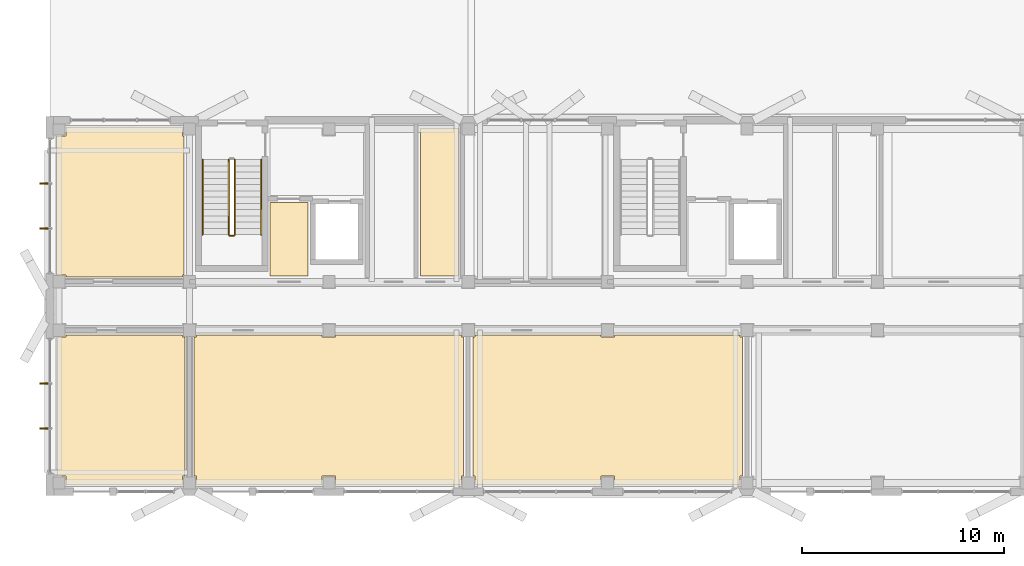
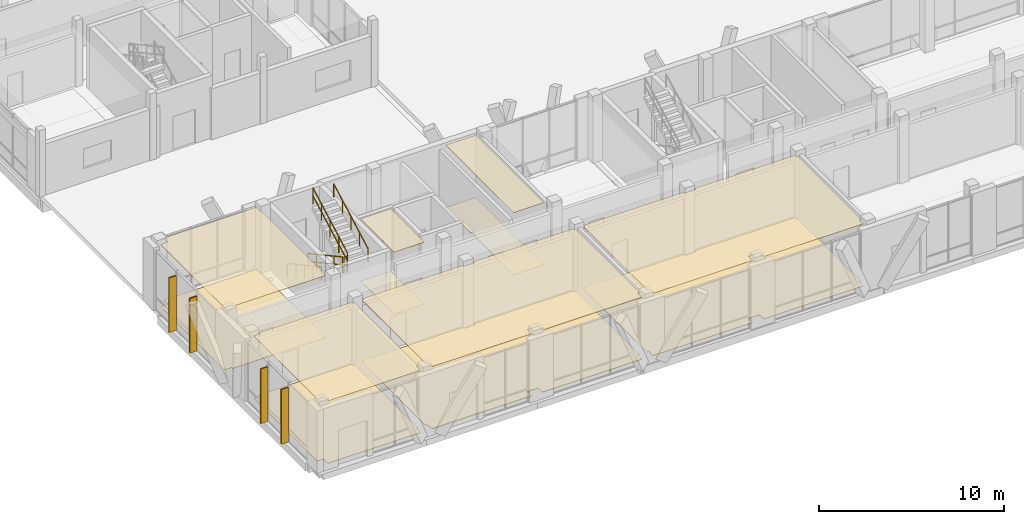
# One storey, part 208 of 233: 12 coverings, 5 railings, 4 shading devices.
"""IFC4 building model written with IfcOpenShell, lengths in metres."""

from ifc_helpers import new_model, si_unit, direction, frame, origin, origin_2d, place, context, subcontext, project, spatial, polyline, rectangle, outline, extrude, material, layer, layer_set, type_object, element, save


model = new_model("IFC4")

# Units and contexts
model_context = context("Model", 3, precision=1e-05, world=origin(), true_north=direction((0.0, 1.0)))
body_context = subcontext(model_context, "Body", "Model", "MODEL_VIEW")
ifc_project = project(units=[si_unit("LENGTHUNIT", "METRE"), si_unit("AREAUNIT", "SQUARE_METRE"), si_unit("VOLUMEUNIT", "CUBIC_METRE"), si_unit("PLANEANGLEUNIT", "RADIAN"), si_unit("MASSUNIT", "GRAM", prefix="KILO")], contexts=[model_context])

# Site, building, storey
site_placement = place(None, origin())
site = spatial("IfcSite", under=ifc_project, at=site_placement, CompositionType="ELEMENT")
building_placement = place(site_placement, origin())
building = spatial("IfcBuilding", under=site, at=building_placement, Name="Zavelmont Quarter", CompositionType="ELEMENT")
storey_placement = place(building_placement, origin())
storey = spatial("IfcBuildingStorey", under=building, at=storey_placement, Name="L00", CompositionType="ELEMENT", Elevation=0.0)

# Coverings
ifc_material_1 = material(Name="Perforated acoustic gypsum board")
ifc_layer_1 = layer(ifc_material_1, 0.02490234375)
ifc_layer_set_1 = layer_set([ifc_layer_1], Name="Perforated acoustic gypsum board")
covering_type_1 = type_object("IfcCoveringType", Name="CV-CL01", PredefinedType="CEILING", material=ifc_layer_set_1)
covering_1_placement = place(storey_placement, frame((0.0, 0.0, 4.094970703125)))
element("IfcCovering", 1, at=covering_1_placement, inside=storey, type_object=covering_type_1, Name="L00 Lobby Vestibule acoustic ceiling", PredefinedType="CEILING", context=body_context, shape_type="SweptSolid", body=[
    extrude(outline(polyline([(10.8798828125, 14.320068359375), (12.77001953125, 14.320068359375), (12.77001953125, 10.679931640625), (10.8798828125, 10.679931640625), (10.8798828125, 14.320068359375)])), origin(), (0.0, 0.0, 1.0), 0.025146484375),
])
covering_2_placement = place(storey_placement, frame((0.0, 0.0, 4.094970703125)))
element("IfcCovering", 2, at=covering_2_placement, inside=storey, type_object=covering_type_1, Name="L00 Refuse Chute Room acoustic ceiling", PredefinedType="CEILING", context=body_context, shape_type="SweptSolid", body=[
    extrude(outline(polyline([(18.330078125, 18.02001953125), (20.219970703125, 18.02001953125), (20.219970703125, 10.679931640625), (18.330078125, 10.679931640625), (18.330078125, 18.02001953125)])), origin(), (0.0, 0.0, 1.0), 0.025146484375),
])
covering_3_placement = place(storey_placement, frame((0.0, 0.0, 4.094970703125)))
element("IfcCovering", 3, at=covering_3_placement, inside=storey, type_object=covering_type_1, Name="L00 Fire Control Room acoustic ceiling", PredefinedType="CEILING", context=body_context, shape_type="SweptSolid", body=[
    extrude(outline(polyline([(0.3798828125, 7.659912109375), (0.780029296875, 7.659912109375), (0.780029296875, 7.77001953125), (6.56005859375, 7.77001953125), (6.56005859375, 7.659912109375), (6.669921875, 7.659912109375), (6.669921875, 0.780029296875), (6.56005859375, 0.780029296875), (6.56005859375, 0.330078125), (0.780029296875, 0.330078125), (0.780029296875, 0.780029296875), (0.3798828125, 0.780029296875), (0.3798828125, 7.659912109375)])), origin(), (0.0, 0.0, 1.0), 0.025146484375),
])
covering_4_placement = place(storey_placement, frame((0.0, 0.0, 4.094970703125)))
element("IfcCovering", 4, at=covering_4_placement, inside=storey, type_object=covering_type_1, Name="L00 Residents Mail and Concierge acoustic ceiling", PredefinedType="CEILING", context=body_context, shape_type="SweptSolid", body=[
    extrude(outline(polyline([(20.929931640625, 7.659912109375), (21.0400390625, 7.659912109375), (21.0400390625, 7.77001953125), (27.260009765625, 7.77001953125), (27.260009765625, 7.659912109375), (27.93994140625, 7.659912109375), (27.93994140625, 7.77001953125), (34.159912109375, 7.77001953125), (34.159912109375, 7.659912109375), (34.27001953125, 7.659912109375), (34.27001953125, 0.780029296875), (34.159912109375, 0.780029296875), (34.159912109375, 0.330078125), (27.93994140625, 0.330078125), (27.93994140625, 0.780029296875), (27.260009765625, 0.780029296875), (27.260009765625, 0.330078125), (21.0400390625, 0.330078125), (21.0400390625, 0.780029296875), (20.929931640625, 0.780029296875), (20.929931640625, 7.659912109375)])), origin(), (0.0, 0.0, 1.0), 0.025146484375),
])
covering_5_placement = place(storey_placement, frame((0.0, 0.0, 4.094970703125)))
element("IfcCovering", 5, at=covering_5_placement, inside=storey, type_object=covering_type_1, Name="L00 Meter and Telecom Room acoustic ceiling", PredefinedType="CEILING", context=body_context, shape_type="SweptSolid", body=[
    extrude(outline(polyline([(0.330078125, 17.6201171875), (0.780029296875, 17.6201171875), (0.780029296875, 18.070068359375), (6.56005859375, 18.070068359375), (6.56005859375, 17.6201171875), (6.6201171875, 17.6201171875), (6.6201171875, 10.739990234375), (6.56005859375, 10.739990234375), (6.56005859375, 10.6298828125), (0.780029296875, 10.6298828125), (0.780029296875, 10.739990234375), (0.330078125, 10.739990234375), (0.330078125, 17.6201171875)])), origin(), (0.0, 0.0, 1.0), 0.025146484375),
])
ifc_material_2 = material(Name="Slatted European ash acoustic baffle ceiling")
ifc_layer_2 = layer(ifc_material_2, 0.0400390625)
ifc_layer_set_2 = layer_set([ifc_layer_2], Name="Slatted European ash acoustic baffle ceiling")
covering_type_2 = type_object("IfcCoveringType", Name="CV-CL02", PredefinedType="CEILING", material=ifc_layer_set_2)
covering_6_placement = place(storey_placement, frame((0.0, 0.0, 4.080078125)))
element("IfcCovering", 6, at=covering_6_placement, inside=storey, type_object=covering_type_2, Name="L00 Block Entrance Foyer acoustic ceiling", PredefinedType="CEILING", context=body_context, shape_type="SweptSolid", body=[
    extrude(outline(polyline([(7.1298828125, 7.659912109375), (7.239990234375, 7.659912109375), (7.239990234375, 7.77001953125), (13.4599609375, 7.77001953125), (13.4599609375, 7.659912109375), (14.139892578125, 7.659912109375), (14.139892578125, 7.77001953125), (20.360107421875, 7.77001953125), (20.360107421875, 7.659912109375), (20.469970703125, 7.659912109375), (20.469970703125, 0.780029296875), (20.360107421875, 0.780029296875), (20.360107421875, 0.330078125), (14.139892578125, 0.330078125), (14.139892578125, 0.780029296875), (13.4599609375, 0.780029296875), (13.4599609375, 0.330078125), (7.239990234375, 0.330078125), (7.239990234375, 0.780029296875), (7.1298828125, 0.780029296875), (7.1298828125, 7.659912109375)])), origin(), (0.0, 0.0, 1.0), 0.0400390625),
])
ifc_material_3 = material(Name="Engineered European oak parquet")
ifc_layer_3 = layer(ifc_material_3, 0.02197265625)
ifc_layer_set_3 = layer_set([ifc_layer_3], Name="Engineered European oak parquet")
covering_type_3 = type_object("IfcCoveringType", Name="CV-FL01", PredefinedType="FLOORING", material=ifc_layer_set_3)
covering_7_placement = place(storey_placement, origin())
element("IfcCovering", 7, at=covering_7_placement, inside=storey, type_object=covering_type_3, Name="L00 Lobby Vestibule floor finish", PredefinedType="FLOORING", context=body_context, shape_type="SweptSolid", body=[
    extrude(outline(polyline([(10.8798828125, 14.320068359375), (12.77001953125, 14.320068359375), (12.77001953125, 10.679931640625), (10.8798828125, 10.679931640625), (10.8798828125, 14.320068359375)])), origin(), (0.0, 0.0, 1.0), 0.02197265625),
])
covering_8_placement = place(storey_placement, origin())
element("IfcCovering", 8, at=covering_8_placement, inside=storey, type_object=covering_type_3, Name="L00 Refuse Chute Room floor finish", PredefinedType="FLOORING", context=body_context, shape_type="SweptSolid", body=[
    extrude(outline(polyline([(18.330078125, 18.02001953125), (20.219970703125, 18.02001953125), (20.219970703125, 10.679931640625), (18.330078125, 10.679931640625), (18.330078125, 18.02001953125)])), origin(), (0.0, 0.0, 1.0), 0.02197265625),
])
covering_9_placement = place(storey_placement, origin())
element("IfcCovering", 9, at=covering_9_placement, inside=storey, type_object=covering_type_3, Name="L00 Fire Control Room floor finish", PredefinedType="FLOORING", context=body_context, shape_type="SweptSolid", body=[
    extrude(outline(polyline([(0.3798828125, 7.659912109375), (0.780029296875, 7.659912109375), (0.780029296875, 7.77001953125), (6.56005859375, 7.77001953125), (6.56005859375, 7.659912109375), (6.669921875, 7.659912109375), (6.669921875, 0.780029296875), (6.56005859375, 0.780029296875), (6.56005859375, 0.330078125), (0.780029296875, 0.330078125), (0.780029296875, 0.780029296875), (0.3798828125, 0.780029296875), (0.3798828125, 7.659912109375)])), origin(), (0.0, 0.0, 1.0), 0.02197265625),
])
covering_10_placement = place(storey_placement, origin())
element("IfcCovering", 10, at=covering_10_placement, inside=storey, type_object=covering_type_3, Name="L00 Residents Mail and Concierge floor finish", PredefinedType="FLOORING", context=body_context, shape_type="SweptSolid", body=[
    extrude(outline(polyline([(20.929931640625, 7.659912109375), (21.0400390625, 7.659912109375), (21.0400390625, 7.77001953125), (27.260009765625, 7.77001953125), (27.260009765625, 7.659912109375), (27.93994140625, 7.659912109375), (27.93994140625, 7.77001953125), (34.159912109375, 7.77001953125), (34.159912109375, 7.659912109375), (34.27001953125, 7.659912109375), (34.27001953125, 0.780029296875), (34.159912109375, 0.780029296875), (34.159912109375, 0.330078125), (27.93994140625, 0.330078125), (27.93994140625, 0.780029296875), (27.260009765625, 0.780029296875), (27.260009765625, 0.330078125), (21.0400390625, 0.330078125), (21.0400390625, 0.780029296875), (20.929931640625, 0.780029296875), (20.929931640625, 7.659912109375)])), origin(), (0.0, 0.0, 1.0), 0.02197265625),
])
covering_11_placement = place(storey_placement, origin())
element("IfcCovering", 11, at=covering_11_placement, inside=storey, type_object=covering_type_3, Name="L00 Meter and Telecom Room floor finish", PredefinedType="FLOORING", context=body_context, shape_type="SweptSolid", body=[
    extrude(outline(polyline([(0.330078125, 17.6201171875), (0.780029296875, 17.6201171875), (0.780029296875, 18.070068359375), (6.56005859375, 18.070068359375), (6.56005859375, 17.6201171875), (6.6201171875, 17.6201171875), (6.6201171875, 10.739990234375), (6.56005859375, 10.739990234375), (6.56005859375, 10.6298828125), (0.780029296875, 10.6298828125), (0.780029296875, 10.739990234375), (0.330078125, 10.739990234375), (0.330078125, 17.6201171875)])), origin(), (0.0, 0.0, 1.0), 0.02197265625),
])
ifc_material_4 = material(Name="Honed Belgian bluestone tile", Category="masonry")
ifc_layer_4 = layer(ifc_material_4, 0.030029296875)
ifc_layer_set_4 = layer_set([ifc_layer_4], Name="Honed Belgian bluestone tile")
covering_type_4 = type_object("IfcCoveringType", Name="CV-FL02", PredefinedType="FLOORING", material=ifc_layer_set_4)
covering_12_placement = place(storey_placement, origin())
element("IfcCovering", 12, at=covering_12_placement, inside=storey, type_object=covering_type_4, Name="L00 Block Entrance Foyer floor finish", PredefinedType="FLOORING", context=body_context, shape_type="SweptSolid", body=[
    extrude(outline(polyline([(7.1298828125, 7.659912109375), (7.239990234375, 7.659912109375), (7.239990234375, 7.77001953125), (13.4599609375, 7.77001953125), (13.4599609375, 7.659912109375), (14.139892578125, 7.659912109375), (14.139892578125, 7.77001953125), (20.360107421875, 7.77001953125), (20.360107421875, 7.659912109375), (20.469970703125, 7.659912109375), (20.469970703125, 0.780029296875), (20.360107421875, 0.780029296875), (20.360107421875, 0.330078125), (14.139892578125, 0.330078125), (14.139892578125, 0.780029296875), (13.4599609375, 0.780029296875), (13.4599609375, 0.330078125), (7.239990234375, 0.330078125), (7.239990234375, 0.780029296875), (7.1298828125, 0.780029296875), (7.1298828125, 7.659912109375)])), origin(), (0.0, 0.0, 1.0), 0.030029296875),
])

# Railings
ifc_material_5 = material(Name="Powder-coated steel stair guardrail", Category="steel")
railing_type_1 = type_object("IfcRailingType", Name="RL-GRD1", PredefinedType="GUARDRAIL", material=ifc_material_5)
railing_1_placement = place(storey_placement, frame((8.85009765625, 16.449951171875, 0.169189453125)))
element("IfcRailing", 13, at=railing_1_placement, inside=storey, type_object=railing_type_1, Name="L00 ST01 stair guardrail 1", PredefinedType="GUARDRAIL", context=body_context, shape_type="SweptSolid", body=[
    extrude(rectangle(XDim=0.048095703125, YDim=0.048095703125, at=origin_2d()), frame((0.0, 0.0, 1.076171875), z_axis=(0.0, -0.877728207833, 0.479158839191), x_axis=(1.0, 0.0, 0.0)), (0.0, 0.0, 1.0), 4.23828125),
    extrude(rectangle(XDim=0.048095703125, YDim=0.048095703125, at=origin_2d()), frame((0.0, 0.0, 0.550048828125), z_axis=(0.0, -0.877728207833, 0.479158839191), x_axis=(1.0, 0.0, 0.0)), (0.0, 0.0, 1.0), 4.23828125),
    extrude(rectangle(XDim=0.0419921875, YDim=0.0419921875, at=origin_2d()), origin(), (0.0, 0.0, 1.0), 1.052001953125),
    extrude(rectangle(XDim=0.0419921875, YDim=0.0419921875, at=origin_2d()), frame((0.0, -0.929931640625, 0.5078125)), (0.0, 0.0, 1.0), 1.052001953125),
    extrude(rectangle(XDim=0.0419921875, YDim=0.0419921875, at=origin_2d()), frame((0.0, -1.85986328125, 1.015380859375)), (0.0, 0.0, 1.0), 1.052001953125),
    extrude(rectangle(XDim=0.0419921875, YDim=0.0419921875, at=origin_2d()), frame((0.0, -2.7900390625, 1.52294921875)), (0.0, 0.0, 1.0), 1.052001953125),
    extrude(rectangle(XDim=0.0419921875, YDim=0.0419921875, at=origin_2d()), frame((0.0, -3.719970703125, 2.03076171875)), (0.0, 0.0, 1.0), 1.052001953125),
])
railing_2_placement = place(storey_placement, frame((8.89990234375, 12.679931640625, 2.199951171875)))
element("IfcRailing", 14, at=railing_2_placement, inside=storey, type_object=railing_type_1, Name="L00 ST01 stair guardrail 2", PredefinedType="GUARDRAIL", context=body_context, shape_type="SweptSolid", body=[
    extrude(rectangle(XDim=0.048095703125, YDim=0.048095703125, at=origin_2d()), frame((0.0, 0.0, 1.076171875), z_axis=(1.0, 0.0, 0.0), x_axis=(0.0, 1.0, 0.0)), (0.0, 0.0, 1.0), 0.2001953125),
    extrude(rectangle(XDim=0.048095703125, YDim=0.048095703125, at=origin_2d()), frame((0.0, 0.0, 0.550048828125), z_axis=(1.0, 0.0, 0.0), x_axis=(0.0, 1.0, 0.0)), (0.0, 0.0, 1.0), 0.2001953125),
    extrude(rectangle(XDim=0.0419921875, YDim=0.0419921875, at=origin_2d()), origin(), (0.0, 0.0, 1.0), 1.052001953125),
    extrude(rectangle(XDim=0.0419921875, YDim=0.0419921875, at=origin_2d()), frame((0.2001953125, 0.0, 0.0)), (0.0, 0.0, 1.0), 1.052001953125),
])
railing_3_placement = place(storey_placement, frame((9.14990234375, 12.72998046875, 2.369140625)))
element("IfcRailing", 15, at=railing_3_placement, inside=storey, type_object=railing_type_1, Name="L00 ST01 stair guardrail 3", PredefinedType="GUARDRAIL", context=body_context, shape_type="SweptSolid", body=[
    extrude(rectangle(XDim=0.048095703125, YDim=0.048095703125, at=origin_2d()), frame((0.0, 0.0, 1.076171875), z_axis=(0.0, 0.877728207833, 0.479158839191), x_axis=(-1.0, 0.0, 0.0)), (0.0, 0.0, 1.0), 4.23828125),
    extrude(rectangle(XDim=0.048095703125, YDim=0.048095703125, at=origin_2d()), frame((0.0, 0.0, 0.550048828125), z_axis=(0.0, 0.877728207833, 0.479158839191), x_axis=(-1.0, 0.0, 0.0)), (0.0, 0.0, 1.0), 4.23828125),
    extrude(rectangle(XDim=0.0419921875, YDim=0.0419921875, at=origin_2d()), origin(), (0.0, 0.0, 1.0), 1.052001953125),
    extrude(rectangle(XDim=0.0419921875, YDim=0.0419921875, at=origin_2d()), frame((0.0, 0.929931640625, 0.5078125)), (0.0, 0.0, 1.0), 1.052001953125),
    extrude(rectangle(XDim=0.0419921875, YDim=0.0419921875, at=origin_2d()), frame((0.0, 1.85986328125, 1.015380859375)), (0.0, 0.0, 1.0), 1.052001953125),
    extrude(rectangle(XDim=0.0419921875, YDim=0.0419921875, at=origin_2d()), frame((0.0, 2.7900390625, 1.52294921875)), (0.0, 0.0, 1.0), 1.052001953125),
    extrude(rectangle(XDim=0.0419921875, YDim=0.0419921875, at=origin_2d()), frame((0.0, 3.719970703125, 2.03076171875)), (0.0, 0.0, 1.0), 1.052001953125),
])
ifc_material_6 = material(Name="Brushed stainless-steel wall handrail", Category="steel")
railing_type_2 = type_object("IfcRailingType", Name="RL-HND1", PredefinedType="HANDRAIL", material=ifc_material_6)
railing_4_placement = place(storey_placement, frame((7.550048828125, 16.449951171875, 0.169189453125)))
element("IfcRailing", 16, at=railing_4_placement, inside=storey, type_object=railing_type_2, Name="L00 ST01 stair handrail 1", PredefinedType="HANDRAIL", context=body_context, shape_type="SweptSolid", body=[
    extrude(rectangle(XDim=0.048095703125, YDim=0.048095703125, at=origin_2d()), frame((0.0, 0.0, 0.8759765625), z_axis=(0.0, -0.877728207833, 0.479158839191), x_axis=(1.0, 0.0, 0.0)), (0.0, 0.0, 1.0), 4.23828125),
    extrude(rectangle(XDim=0.0419921875, YDim=0.0419921875, at=origin_2d()), origin(), (0.0, 0.0, 1.0), 0.851806640625),
    extrude(rectangle(XDim=0.0419921875, YDim=0.0419921875, at=origin_2d()), frame((0.0, -0.929931640625, 0.5078125)), (0.0, 0.0, 1.0), 0.851806640625),
    extrude(rectangle(XDim=0.0419921875, YDim=0.0419921875, at=origin_2d()), frame((0.0, -1.85986328125, 1.015380859375)), (0.0, 0.0, 1.0), 0.851806640625),
    extrude(rectangle(XDim=0.0419921875, YDim=0.0419921875, at=origin_2d()), frame((0.0, -2.7900390625, 1.52294921875)), (0.0, 0.0, 1.0), 0.851806640625),
    extrude(rectangle(XDim=0.0419921875, YDim=0.0419921875, at=origin_2d()), frame((0.0, -3.719970703125, 2.03076171875)), (0.0, 0.0, 1.0), 0.851806640625),
])
railing_5_placement = place(storey_placement, frame((10.449951171875, 12.72998046875, 2.369140625)))
element("IfcRailing", 17, at=railing_5_placement, inside=storey, type_object=railing_type_2, Name="L00 ST01 stair handrail 2", PredefinedType="HANDRAIL", context=body_context, shape_type="SweptSolid", body=[
    extrude(rectangle(XDim=0.048095703125, YDim=0.048095703125, at=origin_2d()), frame((0.0, 0.0, 0.8759765625), z_axis=(0.0, 0.877728207833, 0.479158839191), x_axis=(-1.0, 0.0, 0.0)), (0.0, 0.0, 1.0), 4.23828125),
    extrude(rectangle(XDim=0.0419921875, YDim=0.0419921875, at=origin_2d()), origin(), (0.0, 0.0, 1.0), 0.851806640625),
    extrude(rectangle(XDim=0.0419921875, YDim=0.0419921875, at=origin_2d()), frame((0.0, 0.929931640625, 0.5078125)), (0.0, 0.0, 1.0), 0.851806640625),
    extrude(rectangle(XDim=0.0419921875, YDim=0.0419921875, at=origin_2d()), frame((0.0, 1.85986328125, 1.015380859375)), (0.0, 0.0, 1.0), 0.851806640625),
    extrude(rectangle(XDim=0.0419921875, YDim=0.0419921875, at=origin_2d()), frame((0.0, 2.7900390625, 1.52294921875)), (0.0, 0.0, 1.0), 0.851806640625),
    extrude(rectangle(XDim=0.0419921875, YDim=0.0419921875, at=origin_2d()), frame((0.0, 3.719970703125, 2.03076171875)), (0.0, 0.0, 1.0), 0.851806640625),
])

# Shading devices
ifc_material_7 = material(Name="Anodised aluminium EN AW-6063-T6", Category="aluminium")
shading_device_type = type_object("IfcShadingDeviceType", Name="SD01", PredefinedType="JALOUSIE", material=ifc_material_7)
for number, where, z_axis, x_axis, name in (
    (18, (-0.294921875, 3.13330078125, 0.050048828125), (0.0, 0.0, 1.0), (0.0, 1.0, 0.0), "L00 solar brise-soleil fin SD01"),
    (19, (-0.294921875, 5.36669921875, 0.050048828125), (0.0, 0.0, 1.0), (0.0, 1.0, 0.0), "L00 solar brise-soleil fin SD01"),
    (20, (-0.294921875, 13.033203125, 0.050048828125), (0.0, 0.0, 1.0), (0.0, 1.0, 0.0), "L00 solar brise-soleil fin SD01"),
    (21, (-0.294921875, 15.2666015625, 0.050048828125), (0.0, 0.0, 1.0), (0.0, 1.0, 0.0), "L00 solar brise-soleil fin SD01"),
):
    element("IfcShadingDevice", number, at=place(storey_placement, frame(where, z_axis=z_axis, x_axis=x_axis)), inside=storey, type_object=shading_device_type, Name=name, PredefinedType="JALOUSIE", context=body_context, shape_type="SweptSolid", body=[
        extrude(rectangle(XDim=0.080078125, YDim=0.449951171875, at=origin_2d()), origin(), (0.0, 0.0, 1.0), 3.60009765625),
    ])

save(model, "model.ifc")
